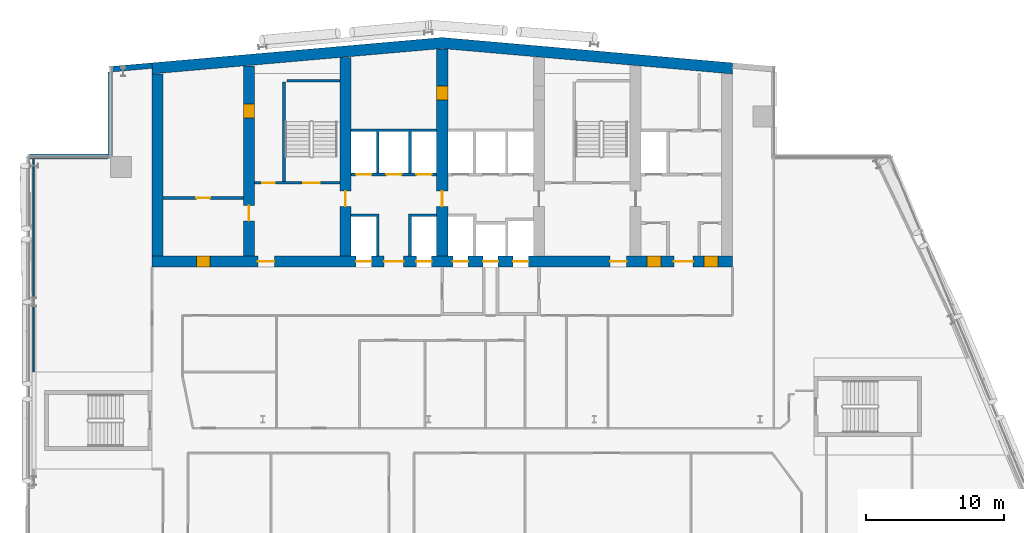
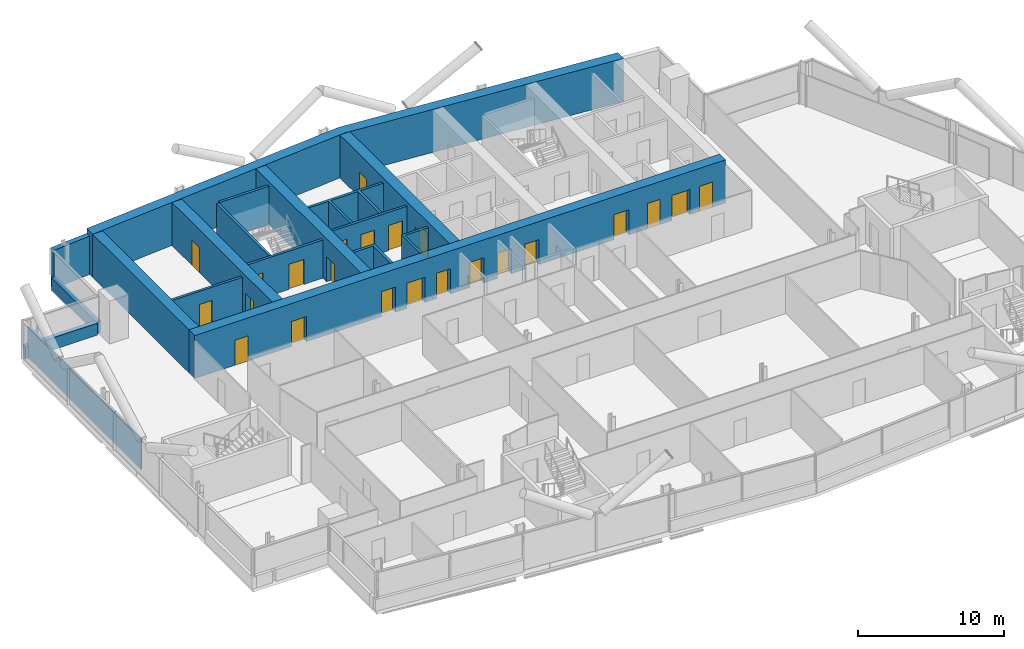
# One storey, part 18 of 27: 23 doors, 18 walls, 23 openings.
"""IFC4 building model written with IfcOpenShell, lengths in metres."""

import ifcopenshell
import ifcopenshell.guid

model = None  # the IFC model being written
_history = None  # IfcOwnerHistory: only IFC2X3 demands one
_inside = {}  # id of a spatial element -> (the spatial element, [elements in it])
_under = {}  # id of a project, library or spatial element -> (it, [spatial elements below it])
_declared = {}  # id of a project -> (the project, [libraries it declares])
_typed = {}  # id of a type object -> (the type object, [elements of that type])
_made_of = {}  # id of a material, layer set ... -> (it, [elements and type objects made of it])


def new_model(schema):
    """Start an empty IFC model of exactly this schema.

    Asked for "IFC4X3", IfcOpenShell would pick the latest addendum, in which some entities
    have other attributes; the version numbers below select the first issue.
    IFC2X3 requires an IfcOwnerHistory on every rooted entity: one is made here for all.
    """
    global model, _history
    if schema == "IFC4X3":
        model = ifcopenshell.file(schema_version=(4, 3, 0, 0))
    else:
        model = ifcopenshell.file(schema=schema)
    _inside.clear()
    _under.clear()
    _declared.clear()
    _typed.clear()
    _made_of.clear()
    _history = None
    if model.schema == "IFC2X3":
        org = make("IfcOrganization", Name="unknown")
        user = make(
            "IfcPersonAndOrganization",
            ThePerson=make("IfcPerson", FamilyName="unknown"),
            TheOrganization=org,
        )
        app = make(
            "IfcApplication",
            ApplicationDeveloper=org,
            Version="unknown",
            ApplicationFullName="unknown",
            ApplicationIdentifier="unknown",
        )
        _history = make(
            "IfcOwnerHistory",
            OwningUser=user,
            OwningApplication=app,
            ChangeAction="ADDED",
            CreationDate=0,
        )
    return model


def make(cls, **values):
    """One entity of the class cls with the attributes given. An attribute that is None is left unset."""
    return model.create_entity(
        cls, **{name: value for name, value in values.items() if value is not None}
    )


def rooted(cls, **values):
    """An entity with a GlobalId (a new one), such as an element, a storey or a relation."""
    return make(cls, GlobalId=ifcopenshell.guid.new(), OwnerHistory=_history, **values)


def si_unit(unit_type, name, prefix=None):
    """IfcSIUnit, for example si_unit("LENGTHUNIT", "METRE", prefix="MILLI")."""
    return make("IfcSIUnit", UnitType=unit_type, Prefix=prefix, Name=name)


def assignment(units):
    """IfcUnitAssignment: the units of a project."""
    return None if units is None else make("IfcUnitAssignment", Units=units)


def point(xyz):
    """IfcCartesianPoint."""
    return None if xyz is None else make("IfcCartesianPoint", Coordinates=xyz)


def direction(xyz):
    """IfcDirection."""
    return None if xyz is None else make("IfcDirection", DirectionRatios=xyz)


def frame(location, z_axis=None, x_axis=None):
    """IfcAxis2Placement3D, a coordinate frame: its origin and axes. An axis left out is left unset."""
    return make(
        "IfcAxis2Placement3D",
        Location=point(location),
        Axis=direction(z_axis),
        RefDirection=direction(x_axis),
    )


def frame_2d(location, x_axis=None):
    """IfcAxis2Placement2D, a coordinate frame in the plane: its origin and x axis."""
    return make(
        "IfcAxis2Placement2D", Location=point(location), RefDirection=direction(x_axis)
    )


def origin():
    """The frame at (0, 0, 0) with its axes left unset."""
    return frame((0.0, 0.0, 0.0))


def place(relative_to, where):
    """IfcLocalPlacement: puts the frame where relative to a parent placement (None: the world)."""
    return make(
        "IfcLocalPlacement", PlacementRelTo=relative_to, RelativePlacement=where
    )


def context(
    kind, dimensions, precision=None, world=None, true_north=None, identifier=None
):
    """IfcGeometricRepresentationContext, for example the 3D "Model" context."""
    return make(
        "IfcGeometricRepresentationContext",
        ContextIdentifier=identifier,
        ContextType=kind,
        CoordinateSpaceDimension=dimensions,
        Precision=precision,
        WorldCoordinateSystem=world,
        TrueNorth=true_north,
    )


def subcontext(parent, identifier, kind, view, scale=None):
    """IfcGeometricRepresentationSubContext, for example "Body" below "Model"."""
    return make(
        "IfcGeometricRepresentationSubContext",
        ContextIdentifier=identifier,
        ContextType=kind,
        ParentContext=parent,
        TargetScale=scale,
        TargetView=view,
    )


def project(units=None, contexts=None):
    """IfcProject with its units and contexts."""
    return rooted(
        "IfcProject",
        Name="project",
        RepresentationContexts=contexts,
        UnitsInContext=assignment(units),
    )


def spatial(cls, under=None, at=None, **own):
    """A site, building, storey or space (cls), placed at a placement, below another one or the project."""
    s = rooted(cls, ObjectPlacement=at, **own)
    if under is not None:
        _under.setdefault(under.id(), (under, []))[1].append(s)
    return s


def polyline(points):
    """IfcPolyline through the points."""
    return make("IfcPolyline", Points=[point(p) for p in points])


def profile(cls, at=None, kind="AREA", **sizes):
    """A parametric profile (cls). Its sizes go by their IFC names, for example OverallWidth=200.0."""
    return make(cls, ProfileType=kind, Position=at, **sizes)


def rectangle(**sizes):
    """IfcRectangleProfileDef."""
    return profile("IfcRectangleProfileDef", **sizes)


def outline(outer, holes=None, kind="AREA"):
    """IfcArbitraryClosedProfileDef: a profile drawn as a closed curve; with holes, ...WithVoids."""
    if holes is None:
        return make("IfcArbitraryClosedProfileDef", ProfileType=kind, OuterCurve=outer)
    return make(
        "IfcArbitraryProfileDefWithVoids",
        ProfileType=kind,
        OuterCurve=outer,
        InnerCurves=holes,
    )


def extrude(swept, where, along, depth):
    """IfcExtrudedAreaSolid: the profile swept, set in the frame where, extruded along a direction by depth."""
    return make(
        "IfcExtrudedAreaSolid",
        SweptArea=swept,
        Position=where,
        ExtrudedDirection=direction(along),
        Depth=depth,
    )


def shape(context_of_items, identifier, shape_type, items):
    """IfcShapeRepresentation: the items that make up one representation, for example the "Body"."""
    return make(
        "IfcShapeRepresentation",
        ContextOfItems=context_of_items,
        RepresentationIdentifier=identifier,
        RepresentationType=shape_type,
        Items=items,
    )


def material(Name=None, Category=None):
    """IfcMaterial."""
    return make("IfcMaterial", Name=Name, Category=Category)


def layer(
    of_material, thickness, ventilated=None, Name=None, Category=None, Priority=None
):
    """IfcMaterialLayer: one layer of a wall or slab, of a material (None: an air gap)."""
    return make(
        "IfcMaterialLayer",
        Material=of_material,
        LayerThickness=thickness,
        IsVentilated=ventilated,
        Name=Name,
        Category=Category,
        Priority=Priority,
    )


def layer_set(layers, Name=None):
    """IfcMaterialLayerSet."""
    return make("IfcMaterialLayerSet", MaterialLayers=layers, LayerSetName=Name)


def made_of(thing, what):
    """Note that an element or type object is made of a material, layer set ...; save() writes the relation."""
    if what is not None:
        _made_of.setdefault(what.id(), (what, []))[1].append(thing)
    return thing


def type_object(cls, material=None, **own):
    """A type object (cls), such as IfcWallType, which elements share."""
    return made_of(rooted(cls, **own), material)


def element(
    cls,
    number,
    at=None,
    inside=None,
    cuts=None,
    type_object=None,
    material=None,
    context=None,
    identifier="Body",
    shape_type=None,
    held_by="IfcProductDefinitionShape",
    body=None,
    shapes=None,
    **own,
):
    """One element of the class cls, such as IfcWall. Its Tag is "e" and its number.

    at: its placement. inside: the storey or other place that contains it. cuts: it is an
    opening in that element (IfcRelVoidsElement). A single representation is given by context,
    identifier, shape_type and body (its items); several are given by shapes. held_by: the class
    of the entity that holds the representations. save() writes the other relations.
    """
    e = rooted(cls, Tag="e%d" % number, ObjectPlacement=at, **own)
    if body is not None:
        shapes = [shape(context, identifier, shape_type, body)]
    if shapes is not None:
        e.Representation = make(held_by, Representations=shapes)
    if inside is not None:
        _inside.setdefault(inside.id(), (inside, []))[1].append(e)
    if cuts is not None:
        rooted(
            "IfcRelVoidsElement", RelatingBuildingElement=cuts, RelatedOpeningElement=e
        )
    if type_object is not None:
        _typed.setdefault(type_object.id(), (type_object, []))[1].append(e)
    return made_of(e, material)


def fill(opening, filler):
    """IfcRelFillsElement: the door or window that sits in an opening."""
    return rooted(
        "IfcRelFillsElement",
        RelatingOpeningElement=opening,
        RelatedBuildingElement=filler,
    )


def aggregate(whole, parts):
    """IfcRelAggregates: a whole, such as a stair, and the parts it consists of."""
    return rooted("IfcRelAggregates", RelatingObject=whole, RelatedObjects=parts)


def save(model, path):
    """Write the relations noted so far, then the file.

    IfcRelAggregates (storeys below a building ...), IfcRelContainedInSpatialStructure (elements
    in a storey), IfcRelDefinesByType, IfcRelAssociatesMaterial and IfcRelDeclares: one each for
    every whole, place, type object, material and project.
    """
    for whole, parts in _under.values():
        aggregate(whole, parts)
    for where, things in _inside.values():
        rooted(
            "IfcRelContainedInSpatialStructure",
            RelatedElements=things,
            RelatingStructure=where,
        )
    for kind, things in _typed.values():
        rooted("IfcRelDefinesByType", RelatedObjects=things, RelatingType=kind)
    for what, things in _made_of.values():
        rooted("IfcRelAssociatesMaterial", RelatedObjects=things, RelatingMaterial=what)
    for by, libraries in _declared.values():
        rooted("IfcRelDeclares", RelatingContext=by, RelatedDefinitions=libraries)
    model.write(path)


model = new_model("IFC4")

# Units and contexts
model_context = context("Model", 3, precision=1e-05, world=origin(), true_north=direction((0.0, 1.0)))
body_context = subcontext(model_context, "Body", "Model", "MODEL_VIEW")
ifc_project = project(units=[si_unit("LENGTHUNIT", "METRE"), si_unit("AREAUNIT", "SQUARE_METRE"), si_unit("VOLUMEUNIT", "CUBIC_METRE"), si_unit("PLANEANGLEUNIT", "RADIAN"), si_unit("MASSUNIT", "GRAM", prefix="KILO")], contexts=[model_context])

# Site, building, storey
site_placement = place(None, origin())
site = spatial("IfcSite", under=ifc_project, at=site_placement, CompositionType="ELEMENT")
building_placement = place(site_placement, origin())
building = spatial("IfcBuilding", under=site, at=building_placement, Name="Wharfspan Tower", CompositionType="ELEMENT")
storey_placement = place(building_placement, frame((0.0, 0.0, 195.100098)))
storey = spatial("IfcBuildingStorey", under=building, at=storey_placement, Name="L48", CompositionType="ELEMENT", Elevation=195.100098)

# Wall, opening, door
ifc_material_1 = material(Name="Calcium silicate masonry", Category="masonry")
ifc_layer_1 = layer(ifc_material_1, 0.199951)
ifc_layer_set_1 = layer_set([ifc_layer_1], Name="Calcium silicate masonry")
wall_type_1 = type_object("IfcWallType", Name="Core room wall 200", PredefinedType="PARTITIONING", material=ifc_layer_set_1)
wall_1_placement = place(storey_placement, frame((16.800049, 39.0, 0.0), z_axis=(0.0, 0.0, 1.0), x_axis=(1.0, 0.0, 0.0)))
wall_1 = element("IfcWall", 1, at=wall_1_placement, inside=storey, type_object=wall_type_1, Name="sw:L48:RM1", PredefinedType="PARTITIONING", context=body_context, shape_type="SweptSolid", body=[
    extrude(rectangle(XDim=5.800049, YDim=0.199951, at=frame_2d((2.899902, 0.0))), origin(), (0.0, 0.0, 1.0), 3.199951),
])
opening_1_placement = place(wall_1_placement, frame((2.399902, 0.0, 0.0)))
opening_1 = element("IfcOpeningElement", 2, at=opening_1_placement, cuts=wall_1, Name="Opening CD48.12", PredefinedType="OPENING", context=body_context, shape_type="SweptSolid", body=[
    extrude(rectangle(XDim=1.0, YDim=2.100098, at=frame_2d((0.5, 1.050049))), frame((0.0, 0.109863, 0.0), z_axis=(0.0, -1.0, 0.0), x_axis=(1.0, 0.0, 0.0)), (0.0, 0.0, 1.0), 0.219971),
])
ifc_material_2 = material(Name="Steel door leaf", Category="steel")
door_type_1 = type_object("IfcDoorType", Name="Core room door 1000x2100", OperationType="SINGLE_SWING_LEFT", PredefinedType="DOOR", material=ifc_material_2)
door_1_placement = place(opening_1_placement, origin())
door_1 = element("IfcDoor", 3, at=door_1_placement, inside=storey, type_object=door_type_1, Name="d:L48:1:rr", OperationType="SINGLE_SWING_RIGHT", OverallHeight=2.100098, OverallWidth=1.0, PredefinedType="DOOR", context=body_context, shape_type="SweptSolid", body=[
    extrude(rectangle(XDim=1.0, YDim=2.100098, at=frame_2d((0.5, 1.050049))), frame((0.0, 0.024902, 0.0), z_axis=(0.0, -1.0, 0.0), x_axis=(1.0, 0.0, 0.0)), (0.0, 0.0, 1.0), 0.050049),
])
fill(opening_1, door_1)

# Wall
ifc_material_3 = material(Name="Concrete C60/75", Category="concrete")
ifc_layer_2 = layer(ifc_material_3, 0.800049)
ifc_layer_set_2 = layer_set([ifc_layer_2], Name="Concrete C60/75")
wall_type_2 = type_object("IfcWallType", Name="Core wall 800 C60/75", PredefinedType="SHEAR", material=ifc_layer_set_2)
wall_2_placement = place(storey_placement, frame((0.0, 0.0, -0.000244)))
element("IfcWall", 4, at=wall_2_placement, inside=storey, type_object=wall_type_2, Name="Core rear wall L48", PredefinedType="SHEAR", context=body_context, shape_type="SweptSolid", body=[
    extrude(outline(polyline([(16.0, 47.984375), (37.0, 49.821533), (58.0, 47.984375), (58.0, 48.787354), (37.0, 50.624756), (16.0, 48.787354), (16.0, 47.984375)])), origin(), (0.0, 0.0, 1.0), 3.600098),
])

# Wall, openings, doors
wall_3_placement = place(storey_placement, frame((16.0, 34.399902, 0.0), z_axis=(0.0, 0.0, 1.0), x_axis=(1.0, 0.0, 0.0)))
wall_3 = element("IfcWall", 5, at=wall_3_placement, inside=storey, type_object=wall_type_2, Name="Core front wall L48", PredefinedType="SHEAR", context=body_context, shape_type="SweptSolid", body=[
    extrude(rectangle(XDim=42.0, YDim=0.800049, at=frame_2d((21.0, 0.0))), origin(), (0.0, 0.0, 1.0), 3.599854),
])
opening_2_placement = place(wall_3_placement, frame((3.199951, 0.0, 0.0)))
opening_2 = element("IfcOpeningElement", 6, at=opening_2_placement, cuts=wall_3, Name="Opening CD48.11", PredefinedType="OPENING", context=body_context, shape_type="SweptSolid", body=[
    extrude(rectangle(XDim=1.0, YDim=2.100098, at=frame_2d((0.5, 1.050049))), frame((0.0, 0.409912, 0.0), z_axis=(0.0, -1.0, 0.0), x_axis=(1.0, 0.0, 0.0)), (0.0, 0.0, 1.0), 0.820068),
])
opening_3_placement = place(wall_3_placement, frame((7.649902, 0.0, 0.0)))
opening_3 = element("IfcOpeningElement", 7, at=opening_3_placement, cuts=wall_3, Name="Opening SV2.L48", PredefinedType="OPENING", context=body_context, shape_type="SweptSolid", body=[
    extrude(rectangle(XDim=1.199951, YDim=2.100098, at=frame_2d((0.600098, 1.050049))), frame((0.0, 0.409912, 0.0), z_axis=(0.0, -1.0, 0.0), x_axis=(1.0, 0.0, 0.0)), (0.0, 0.0, 1.0), 0.820068),
])
opening_4_placement = place(wall_3_placement, frame((14.766602, 0.0, 0.0)))
opening_4 = element("IfcOpeningElement", 8, at=opening_4_placement, cuts=wall_3, Name="Opening LD.SL1.L48", PredefinedType="OPENING", context=body_context, shape_type="SweptSolid", body=[
    extrude(rectangle(XDim=1.100098, YDim=2.100098, at=frame_2d((0.550049, 1.050049))), frame((0.0, 0.409912, 0.0), z_axis=(0.0, -1.0, 0.0), x_axis=(1.0, 0.0, 0.0)), (0.0, 0.0, 1.0), 0.820068),
])
opening_5_placement = place(wall_3_placement, frame((19.133301, 0.0, 0.0)))
opening_5 = element("IfcOpeningElement", 9, at=opening_5_placement, cuts=wall_3, Name="Opening LD.SL2.L48", PredefinedType="OPENING", context=body_context, shape_type="SweptSolid", body=[
    extrude(rectangle(XDim=1.100098, YDim=2.100098, at=frame_2d((0.550049, 1.050049))), frame((0.0, 0.409912, 0.0), z_axis=(0.0, -1.0, 0.0), x_axis=(1.0, 0.0, 0.0)), (0.0, 0.0, 1.0), 0.820068),
])
opening_6_placement = place(wall_3_placement, frame((16.800049, 0.0, 0.0)))
opening_6 = element("IfcOpeningElement", 10, at=opening_6_placement, cuts=wall_3, Name="Opening HD48.3", PredefinedType="OPENING", context=body_context, shape_type="SweptSolid", body=[
    extrude(rectangle(XDim=1.399902, YDim=2.100098, at=frame_2d((0.699951, 1.050049))), frame((0.0, 0.409912, 0.0), z_axis=(0.0, -1.0, 0.0), x_axis=(1.0, 0.0, 0.0)), (0.0, 0.0, 1.0), 0.820068),
])
opening_7_placement = place(wall_3_placement, frame((21.766602, 0.0, 0.0)))
opening_7 = element("IfcOpeningElement", 11, at=opening_7_placement, cuts=wall_3, Name="Opening LD.FF1.L48", PredefinedType="OPENING", context=body_context, shape_type="SweptSolid", body=[
    extrude(rectangle(XDim=1.100098, YDim=2.100098, at=frame_2d((0.550049, 1.050049))), frame((0.0, 0.409912, 0.0), z_axis=(0.0, -1.0, 0.0), x_axis=(1.0, 0.0, 0.0)), (0.0, 0.0, 1.0), 0.820068),
])
opening_8_placement = place(wall_3_placement, frame((23.949951, 0.0, 0.0)))
opening_8 = element("IfcOpeningElement", 12, at=opening_8_placement, cuts=wall_3, Name="Opening LD.LB7.L48", PredefinedType="OPENING", context=body_context, shape_type="SweptSolid", body=[
    extrude(rectangle(XDim=1.100098, YDim=2.100098, at=frame_2d((0.550049, 1.050049))), frame((0.0, 0.409912, 0.0), z_axis=(0.0, -1.0, 0.0), x_axis=(1.0, 0.0, 0.0)), (0.0, 0.0, 1.0), 0.820068),
])
opening_9_placement = place(wall_3_placement, frame((26.133301, 0.0, 0.0)))
opening_9 = element("IfcOpeningElement", 13, at=opening_9_placement, cuts=wall_3, Name="Opening LD.FF2.L48", PredefinedType="OPENING", context=body_context, shape_type="SweptSolid", body=[
    extrude(rectangle(XDim=1.100098, YDim=2.100098, at=frame_2d((0.550049, 1.050049))), frame((0.0, 0.409912, 0.0), z_axis=(0.0, -1.0, 0.0), x_axis=(1.0, 0.0, 0.0)), (0.0, 0.0, 1.0), 0.820068),
])
opening_10_placement = place(wall_3_placement, frame((33.149902, 0.0, 0.0)))
opening_10 = element("IfcOpeningElement", 14, at=opening_10_placement, cuts=wall_3, Name="Opening SV5.L48", PredefinedType="OPENING", context=body_context, shape_type="SweptSolid", body=[
    extrude(rectangle(XDim=1.199951, YDim=2.100098, at=frame_2d((0.600098, 1.050049))), frame((0.0, 0.409912, 0.0), z_axis=(0.0, -1.0, 0.0), x_axis=(1.0, 0.0, 0.0)), (0.0, 0.0, 1.0), 0.820068),
])
opening_11_placement = place(wall_3_placement, frame((35.81665, 0.0, 0.0)))
opening_11 = element("IfcOpeningElement", 15, at=opening_11_placement, cuts=wall_3, Name="Opening CD48.6F1", PredefinedType="OPENING", context=body_context, shape_type="SweptSolid", body=[
    extrude(rectangle(XDim=1.0, YDim=2.100098, at=frame_2d((0.5, 1.050049))), frame((0.0, 0.409912, 0.0), z_axis=(0.0, -1.0, 0.0), x_axis=(1.0, 0.0, 0.0)), (0.0, 0.0, 1.0), 0.820068),
])
opening_12_placement = place(wall_3_placement, frame((39.949951, 0.0, 0.0)))
opening_12 = element("IfcOpeningElement", 16, at=opening_12_placement, cuts=wall_3, Name="Opening CD48.6F3", PredefinedType="OPENING", context=body_context, shape_type="SweptSolid", body=[
    extrude(rectangle(XDim=1.0, YDim=2.100098, at=frame_2d((0.5, 1.050049))), frame((0.0, 0.409912, 0.0), z_axis=(0.0, -1.0, 0.0), x_axis=(1.0, 0.0, 0.0)), (0.0, 0.0, 1.0), 0.820068),
])
opening_13_placement = place(wall_3_placement, frame((37.766602, 0.0, 0.0)))
opening_13 = element("IfcOpeningElement", 17, at=opening_13_placement, cuts=wall_3, Name="Opening HD48.6", PredefinedType="OPENING", context=body_context, shape_type="SweptSolid", body=[
    extrude(rectangle(XDim=1.399902, YDim=2.100098, at=frame_2d((0.699951, 1.050049))), frame((0.0, 0.409912, 0.0), z_axis=(0.0, -1.0, 0.0), x_axis=(1.0, 0.0, 0.0)), (0.0, 0.0, 1.0), 0.820068),
])
door_2_placement = place(opening_2_placement, origin())
door_2 = element("IfcDoor", 18, at=door_2_placement, inside=storey, type_object=door_type_1, Name="d:L48:1:rf", OperationType="SINGLE_SWING_LEFT", OverallHeight=2.100098, OverallWidth=1.0, PredefinedType="DOOR", context=body_context, shape_type="SweptSolid", body=[
    extrude(rectangle(XDim=1.0, YDim=2.100098, at=frame_2d((0.5, 1.050049))), frame((0.0, 0.399902, 0.0), z_axis=(0.0, -1.0, 0.0), x_axis=(1.0, 0.0, 0.0)), (0.0, 0.0, 1.0), 0.799561),
])
fill(opening_2, door_2)
door_3_placement = place(opening_11_placement, origin())
door_3 = element("IfcDoor", 19, at=door_3_placement, inside=storey, type_object=door_type_1, Name="d:L48:6:fd6.1", OperationType="SINGLE_SWING_LEFT", OverallHeight=2.100098, OverallWidth=1.0, PredefinedType="DOOR", context=body_context, shape_type="SweptSolid", body=[
    extrude(rectangle(XDim=1.0, YDim=2.100098, at=frame_2d((0.5, 1.050049))), frame((0.0, 0.399902, 0.0), z_axis=(0.0, -1.0, 0.0), x_axis=(1.0, 0.0, 0.0)), (0.0, 0.0, 1.0), 0.799561),
])
fill(opening_11, door_3)
door_4_placement = place(opening_12_placement, origin())
door_4 = element("IfcDoor", 20, at=door_4_placement, inside=storey, type_object=door_type_1, Name="d:L48:6:fd6.3", OperationType="SINGLE_SWING_LEFT", OverallHeight=2.100098, OverallWidth=1.0, PredefinedType="DOOR", context=body_context, shape_type="SweptSolid", body=[
    extrude(rectangle(XDim=1.0, YDim=2.100098, at=frame_2d((0.5, 1.050049))), frame((0.0, 0.399902, 0.0), z_axis=(0.0, -1.0, 0.0), x_axis=(1.0, 0.0, 0.0)), (0.0, 0.0, 1.0), 0.799561),
])
fill(opening_12, door_4)
door_type_2 = type_object("IfcDoorType", Name="Hall entry door 1400x2100", OperationType="DOUBLE_DOOR_SINGLE_SWING", PredefinedType="DOOR", material=ifc_material_2)
door_5_placement = place(opening_6_placement, origin())
door_5 = element("IfcDoor", 21, at=door_5_placement, inside=storey, type_object=door_type_2, Name="d:L48:3:hd3", OperationType="DOUBLE_DOOR_SINGLE_SWING", OverallHeight=2.100098, OverallWidth=1.399902, PredefinedType="DOOR", context=body_context, shape_type="SweptSolid", body=[
    extrude(rectangle(XDim=1.399902, YDim=2.100098, at=frame_2d((0.699951, 1.050049))), frame((0.0, 0.024902, 0.0), z_axis=(0.0, -1.0, 0.0), x_axis=(1.0, 0.0, 0.0)), (0.0, 0.0, 1.0), 0.050049),
])
fill(opening_6, door_5)
door_6_placement = place(opening_13_placement, origin())
door_6 = element("IfcDoor", 22, at=door_6_placement, inside=storey, type_object=door_type_2, Name="d:L48:6:hd6", OperationType="DOUBLE_DOOR_SINGLE_SWING", OverallHeight=2.100098, OverallWidth=1.399902, PredefinedType="DOOR", context=body_context, shape_type="SweptSolid", body=[
    extrude(rectangle(XDim=1.399902, YDim=2.100098, at=frame_2d((0.699951, 1.050049))), frame((0.0, 0.024902, 0.0), z_axis=(0.0, -1.0, 0.0), x_axis=(1.0, 0.0, 0.0)), (0.0, 0.0, 1.0), 0.050049),
])
fill(opening_13, door_6)
ifc_material_4 = material(Name="Stainless steel", Category="steel")
door_type_3 = type_object("IfcDoorType", Name="Lift landing door 1100x2100", OperationType="DOUBLE_DOOR_SLIDING", PredefinedType="DOOR", material=ifc_material_4)
door_7_placement = place(opening_4_placement, origin())
door_7 = element("IfcDoor", 23, at=door_7_placement, inside=storey, type_object=door_type_3, Name="Landing door SL1 L48", OperationType="DOUBLE_DOOR_SLIDING", OverallHeight=2.100098, OverallWidth=1.100098, PredefinedType="DOOR", context=body_context, shape_type="SweptSolid", body=[
    extrude(rectangle(XDim=1.100098, YDim=2.100098, at=frame_2d((0.550049, 1.050049))), frame((0.0, 0.024902, 0.0), z_axis=(0.0, -1.0, 0.0), x_axis=(1.0, 0.0, 0.0)), (0.0, 0.0, 1.0), 0.050049),
])
fill(opening_4, door_7)
door_8_placement = place(opening_5_placement, origin())
door_8 = element("IfcDoor", 24, at=door_8_placement, inside=storey, type_object=door_type_3, Name="Landing door SL2 L48", OperationType="DOUBLE_DOOR_SLIDING", OverallHeight=2.100098, OverallWidth=1.100098, PredefinedType="DOOR", context=body_context, shape_type="SweptSolid", body=[
    extrude(rectangle(XDim=1.100098, YDim=2.100098, at=frame_2d((0.550049, 1.050049))), frame((0.0, 0.024902, 0.0), z_axis=(0.0, -1.0, 0.0), x_axis=(1.0, 0.0, 0.0)), (0.0, 0.0, 1.0), 0.050049),
])
fill(opening_5, door_8)
door_9_placement = place(opening_7_placement, origin())
door_9 = element("IfcDoor", 25, at=door_9_placement, inside=storey, type_object=door_type_3, Name="Landing door FF1 L48", OperationType="DOUBLE_DOOR_SLIDING", OverallHeight=2.100098, OverallWidth=1.100098, PredefinedType="DOOR", context=body_context, shape_type="SweptSolid", body=[
    extrude(rectangle(XDim=1.100098, YDim=2.100098, at=frame_2d((0.550049, 1.050049))), frame((0.0, 0.024902, 0.0), z_axis=(0.0, -1.0, 0.0), x_axis=(1.0, 0.0, 0.0)), (0.0, 0.0, 1.0), 0.050049),
])
fill(opening_7, door_9)
door_10_placement = place(opening_8_placement, origin())
door_10 = element("IfcDoor", 26, at=door_10_placement, inside=storey, type_object=door_type_3, Name="Landing door LB7 L48", OperationType="DOUBLE_DOOR_SLIDING", OverallHeight=2.100098, OverallWidth=1.100098, PredefinedType="DOOR", context=body_context, shape_type="SweptSolid", body=[
    extrude(rectangle(XDim=1.100098, YDim=2.100098, at=frame_2d((0.550049, 1.050049))), frame((0.0, 0.024902, 0.0), z_axis=(0.0, -1.0, 0.0), x_axis=(1.0, 0.0, 0.0)), (0.0, 0.0, 1.0), 0.050049),
])
fill(opening_8, door_10)
door_11_placement = place(opening_9_placement, origin())
door_11 = element("IfcDoor", 27, at=door_11_placement, inside=storey, type_object=door_type_3, Name="Landing door FF2 L48", OperationType="DOUBLE_DOOR_SLIDING", OverallHeight=2.100098, OverallWidth=1.100098, PredefinedType="DOOR", context=body_context, shape_type="SweptSolid", body=[
    extrude(rectangle(XDim=1.100098, YDim=2.100098, at=frame_2d((0.550049, 1.050049))), frame((0.0, 0.024902, 0.0), z_axis=(0.0, -1.0, 0.0), x_axis=(1.0, 0.0, 0.0)), (0.0, 0.0, 1.0), 0.050049),
])
fill(opening_9, door_11)
door_type_4 = type_object("IfcDoorType", Name="Stair door 1200x2100", OperationType="SINGLE_SWING_LEFT", PredefinedType="DOOR", material=ifc_material_2)
door_12_placement = place(opening_3_placement, origin())
door_12 = element("IfcDoor", 28, at=door_12_placement, inside=storey, type_object=door_type_4, Name="vd:L48:2", OperationType="SINGLE_SWING_LEFT", OverallHeight=2.100098, OverallWidth=1.199951, PredefinedType="DOOR", context=body_context, shape_type="SweptSolid", body=[
    extrude(rectangle(XDim=1.199951, YDim=2.100098, at=frame_2d((0.600098, 1.050049))), frame((0.0, 0.024902, 0.0), z_axis=(0.0, -1.0, 0.0), x_axis=(1.0, 0.0, 0.0)), (0.0, 0.0, 1.0), 0.050049),
])
fill(opening_3, door_12)
door_13_placement = place(opening_10_placement, origin())
door_13 = element("IfcDoor", 29, at=door_13_placement, inside=storey, type_object=door_type_4, Name="vd:L48:5", OperationType="SINGLE_SWING_LEFT", OverallHeight=2.100098, OverallWidth=1.199951, PredefinedType="DOOR", context=body_context, shape_type="SweptSolid", body=[
    extrude(rectangle(XDim=1.199951, YDim=2.100098, at=frame_2d((0.600098, 1.050049))), frame((0.0, 0.024902, 0.0), z_axis=(0.0, -1.0, 0.0), x_axis=(1.0, 0.0, 0.0)), (0.0, 0.0, 1.0), 0.050049),
])
fill(opening_10, door_13)

# Wall
wall_4_placement = place(storey_placement, frame((16.399902, 34.800049, 0.0), z_axis=(0.0, 0.0, 1.0), x_axis=(0.0, 1.0, 0.0)))
element("IfcWall", 30, at=wall_4_placement, inside=storey, type_object=wall_type_2, Name="Core cross wall EW0 L48", PredefinedType="SHEAR", context=body_context, shape_type="SweptSolid", body=[
    extrude(rectangle(XDim=13.184326, YDim=0.800049, at=frame_2d((6.592285, 0.0))), origin(), (0.0, 0.0, 1.0), 3.599854),
])

# Wall, openings, doors
wall_5_placement = place(storey_placement, frame((23.0, 34.800049, 0.0), z_axis=(0.0, 0.0, 1.0), x_axis=(0.0, 1.0, 0.0)))
wall_5 = element("IfcWall", 31, at=wall_5_placement, inside=storey, type_object=wall_type_2, Name="Core cross wall X2 L48", PredefinedType="SHEAR", context=body_context, shape_type="SweptSolid", body=[
    extrude(rectangle(XDim=13.761719, YDim=0.800049, at=frame_2d((6.880859, 0.0))), origin(), (0.0, 0.0, 1.0), 3.599854),
])
opening_14_placement = place(wall_5_placement, frame((2.550049, 0.0, 0.0)))
opening_14 = element("IfcOpeningElement", 32, at=opening_14_placement, cuts=wall_5, Name="Opening CC48.2", PredefinedType="OPENING", context=body_context, shape_type="SweptSolid", body=[
    extrude(rectangle(XDim=1.100098, YDim=2.100098, at=frame_2d((0.550049, 1.050049))), frame((0.0, 0.409912, 0.0), z_axis=(0.0, -1.0, 0.0), x_axis=(1.0, 0.0, 0.0)), (0.0, 0.0, 1.0), 0.820068),
])
opening_15_placement = place(wall_5_placement, frame((10.0, 0.0, 0.0)))
opening_15 = element("IfcOpeningElement", 33, at=opening_15_placement, cuts=wall_5, Name="Opening CR48.2", PredefinedType="OPENING", context=body_context, shape_type="SweptSolid", body=[
    extrude(rectangle(XDim=1.0, YDim=2.100098, at=frame_2d((0.5, 1.050049))), frame((0.0, 0.409912, 0.0), z_axis=(0.0, -1.0, 0.0), x_axis=(1.0, 0.0, 0.0)), (0.0, 0.0, 1.0), 0.820068),
])
door_type_5 = type_object("IfcDoorType", Name="Core corridor door 1100x2100", OperationType="SINGLE_SWING_LEFT", PredefinedType="DOOR", material=ifc_material_2)
door_14_placement = place(opening_14_placement, origin())
door_14 = element("IfcDoor", 34, at=door_14_placement, inside=storey, type_object=door_type_5, Name="xd:L48:2", OperationType="SINGLE_SWING_RIGHT", OverallHeight=2.100098, OverallWidth=1.100098, PredefinedType="DOOR", context=body_context, shape_type="SweptSolid", body=[
    extrude(rectangle(XDim=1.100098, YDim=2.100098, at=frame_2d((0.550049, 1.050049))), frame((0.0, 0.024902, 0.0), z_axis=(0.0, -1.0, 0.0), x_axis=(1.0, 0.0, 0.0)), (0.0, 0.0, 1.0), 0.050049),
])
fill(opening_14, door_14)
door_15_placement = place(opening_15_placement, origin())
door_15 = element("IfcDoor", 35, at=door_15_placement, inside=storey, type_object=door_type_1, Name="xr:L48:2", OperationType="SINGLE_SWING_RIGHT", OverallHeight=2.100098, OverallWidth=1.0, PredefinedType="DOOR", context=body_context, shape_type="SweptSolid", body=[
    extrude(rectangle(XDim=1.0, YDim=2.100098, at=frame_2d((0.5, 1.050049))), frame((0.0, 0.399902, 0.0), z_axis=(0.0, -1.0, 0.0), x_axis=(1.0, 0.0, 0.0)), (0.0, 0.0, 1.0), 0.799561),
])
fill(opening_15, door_15)

# Wall, opening, door
wall_6_placement = place(storey_placement, frame((30.0, 34.800049, 0.0), z_axis=(0.0, 0.0, 1.0), x_axis=(0.0, 1.0, 0.0)))
wall_6 = element("IfcWall", 36, at=wall_6_placement, inside=storey, type_object=wall_type_2, Name="Core cross wall X3 L48", PredefinedType="SHEAR", context=body_context, shape_type="SweptSolid", body=[
    extrude(rectangle(XDim=14.374023, YDim=0.800049, at=frame_2d((7.187012, 0.0))), origin(), (0.0, 0.0, 1.0), 3.599854),
])
opening_16_placement = place(wall_6_placement, frame((3.600098, 0.0, 0.0)))
opening_16 = element("IfcOpeningElement", 37, at=opening_16_placement, cuts=wall_6, Name="Opening CC48.3", PredefinedType="OPENING", context=body_context, shape_type="SweptSolid", body=[
    extrude(rectangle(XDim=1.100098, YDim=2.100098, at=frame_2d((0.550049, 1.050049))), frame((0.0, 0.409912, 0.0), z_axis=(0.0, -1.0, 0.0), x_axis=(1.0, 0.0, 0.0)), (0.0, 0.0, 1.0), 0.820068),
])
door_16_placement = place(opening_16_placement, origin())
door_16 = element("IfcDoor", 38, at=door_16_placement, inside=storey, type_object=door_type_5, Name="xd:L48:3", OperationType="SINGLE_SWING_LEFT", OverallHeight=2.100098, OverallWidth=1.100098, PredefinedType="DOOR", context=body_context, shape_type="SweptSolid", body=[
    extrude(rectangle(XDim=1.100098, YDim=2.100098, at=frame_2d((0.550049, 1.050049))), frame((0.0, 0.024902, 0.0), z_axis=(0.0, -1.0, 0.0), x_axis=(1.0, 0.0, 0.0)), (0.0, 0.0, 1.0), 0.050049),
])
fill(opening_16, door_16)

# Wall, openings, doors
wall_7_placement = place(storey_placement, frame((37.0, 34.800049, 0.0), z_axis=(0.0, 0.0, 1.0), x_axis=(0.0, 1.0, 0.0)))
wall_7 = element("IfcWall", 39, at=wall_7_placement, inside=storey, type_object=wall_type_2, Name="Core cross wall X4 L48", PredefinedType="SHEAR", context=body_context, shape_type="SweptSolid", body=[
    extrude(rectangle(XDim=14.986572, YDim=0.800049, at=frame_2d((7.493164, 0.0))), origin(), (0.0, 0.0, 1.0), 3.599854),
])
opening_17_placement = place(wall_7_placement, frame((11.312012, 0.0, 0.0)))
opening_17 = element("IfcOpeningElement", 40, at=opening_17_placement, cuts=wall_7, Name="Opening CD48.3X", PredefinedType="OPENING", context=body_context, shape_type="SweptSolid", body=[
    extrude(rectangle(XDim=1.0, YDim=2.100098, at=frame_2d((0.5, 1.050049))), frame((0.0, 0.409912, 0.0), z_axis=(0.0, -1.0, 0.0), x_axis=(1.0, 0.0, 0.0)), (0.0, 0.0, 1.0), 0.820068),
])
opening_18_placement = place(wall_7_placement, frame((3.600098, 0.0, 0.0)))
opening_18 = element("IfcOpeningElement", 41, at=opening_18_placement, cuts=wall_7, Name="Opening CC48.4", PredefinedType="OPENING", context=body_context, shape_type="SweptSolid", body=[
    extrude(rectangle(XDim=1.100098, YDim=2.100098, at=frame_2d((0.550049, 1.050049))), frame((0.0, 0.409912, 0.0), z_axis=(0.0, -1.0, 0.0), x_axis=(1.0, 0.0, 0.0)), (0.0, 0.0, 1.0), 0.820068),
])
door_17_placement = place(opening_18_placement, origin())
door_17 = element("IfcDoor", 42, at=door_17_placement, inside=storey, type_object=door_type_5, Name="xd:L48:4", OperationType="SINGLE_SWING_RIGHT", OverallHeight=2.100098, OverallWidth=1.100098, PredefinedType="DOOR", context=body_context, shape_type="SweptSolid", body=[
    extrude(rectangle(XDim=1.100098, YDim=2.100098, at=frame_2d((0.550049, 1.050049))), frame((0.0, 0.024902, 0.0), z_axis=(0.0, -1.0, 0.0), x_axis=(1.0, 0.0, 0.0)), (0.0, 0.0, 1.0), 0.050049),
])
fill(opening_18, door_17)
door_18_placement = place(opening_17_placement, origin())
door_18 = element("IfcDoor", 43, at=door_18_placement, inside=storey, type_object=door_type_1, Name="d:L48:3:sx", OperationType="SINGLE_SWING_LEFT", OverallHeight=2.100098, OverallWidth=1.0, PredefinedType="DOOR", context=body_context, shape_type="SweptSolid", body=[
    extrude(rectangle(XDim=1.0, YDim=2.100098, at=frame_2d((0.5, 1.050049))), frame((0.0, 0.399902, 0.0), z_axis=(0.0, -1.0, 0.0), x_axis=(1.0, 0.0, 0.0)), (0.0, 0.0, 1.0), 0.799561),
])
fill(opening_17, door_18)

ifc_material_5 = material(Name="Concrete C30/37", Category="concrete")
ifc_layer_3 = layer(ifc_material_5, 0.199951)
ifc_layer_set_3 = layer_set([ifc_layer_3], Name="Concrete C30/37")
wall_type_3 = type_object("IfcWallType", Name="Lift shaft wall 200", PredefinedType="PARTITIONING", material=ifc_layer_set_3)
wall_8_placement = place(storey_placement, frame((30.399902, 40.699951, 0.0), z_axis=(0.0, 0.0, 1.0), x_axis=(1.0, 0.0, 0.0)))
wall_8 = element("IfcWall", 44, at=wall_8_placement, inside=storey, type_object=wall_type_3, Name="sw:L48:RF3", PredefinedType="PARTITIONING", context=body_context, shape_type="SweptSolid", body=[
    extrude(rectangle(XDim=6.200195, YDim=0.199951, at=frame_2d((3.100098, 0.0))), origin(), (0.0, 0.0, 1.0), 3.199951),
])
opening_19_placement = place(wall_8_placement, frame((0.366699, 0.0, 0.0)))
opening_19 = element("IfcOpeningElement", 45, at=opening_19_placement, cuts=wall_8, Name="Opening LD.LB1.L48", PredefinedType="OPENING", context=body_context, shape_type="SweptSolid", body=[
    extrude(rectangle(XDim=1.100098, YDim=2.100098, at=frame_2d((0.550049, 1.050049))), frame((0.0, 0.109863, 0.0), z_axis=(0.0, -1.0, 0.0), x_axis=(1.0, 0.0, 0.0)), (0.0, 0.0, 1.0), 0.219971),
])
opening_20_placement = place(wall_8_placement, frame((2.550049, 0.0, 0.0)))
opening_20 = element("IfcOpeningElement", 46, at=opening_20_placement, cuts=wall_8, Name="Opening LD.LB2.L48", PredefinedType="OPENING", context=body_context, shape_type="SweptSolid", body=[
    extrude(rectangle(XDim=1.100098, YDim=2.100098, at=frame_2d((0.550049, 1.050049))), frame((0.0, 0.109863, 0.0), z_axis=(0.0, -1.0, 0.0), x_axis=(1.0, 0.0, 0.0)), (0.0, 0.0, 1.0), 0.219971),
])
opening_21_placement = place(wall_8_placement, frame((4.733398, 0.0, 0.0)))
opening_21 = element("IfcOpeningElement", 47, at=opening_21_placement, cuts=wall_8, Name="Opening LD.LB3.L48", PredefinedType="OPENING", context=body_context, shape_type="SweptSolid", body=[
    extrude(rectangle(XDim=1.100098, YDim=2.100098, at=frame_2d((0.550049, 1.050049))), frame((0.0, 0.109863, 0.0), z_axis=(0.0, -1.0, 0.0), x_axis=(1.0, 0.0, 0.0)), (0.0, 0.0, 1.0), 0.219971),
])
door_19_placement = place(opening_19_placement, origin())
door_19 = element("IfcDoor", 48, at=door_19_placement, inside=storey, type_object=door_type_3, Name="Landing door LB1 L48", OperationType="DOUBLE_DOOR_SLIDING", OverallHeight=2.100098, OverallWidth=1.100098, PredefinedType="DOOR", context=body_context, shape_type="SweptSolid", body=[
    extrude(rectangle(XDim=1.100098, YDim=2.100098, at=frame_2d((0.550049, 1.050049))), frame((0.0, 0.024902, 0.0), z_axis=(0.0, -1.0, 0.0), x_axis=(1.0, 0.0, 0.0)), (0.0, 0.0, 1.0), 0.050049),
])
fill(opening_19, door_19)
door_20_placement = place(opening_20_placement, origin())
door_20 = element("IfcDoor", 49, at=door_20_placement, inside=storey, type_object=door_type_3, Name="Landing door LB2 L48", OperationType="DOUBLE_DOOR_SLIDING", OverallHeight=2.100098, OverallWidth=1.100098, PredefinedType="DOOR", context=body_context, shape_type="SweptSolid", body=[
    extrude(rectangle(XDim=1.100098, YDim=2.100098, at=frame_2d((0.550049, 1.050049))), frame((0.0, 0.024902, 0.0), z_axis=(0.0, -1.0, 0.0), x_axis=(1.0, 0.0, 0.0)), (0.0, 0.0, 1.0), 0.050049),
])
fill(opening_20, door_20)
door_21_placement = place(opening_21_placement, origin())
door_21 = element("IfcDoor", 50, at=door_21_placement, inside=storey, type_object=door_type_3, Name="Landing door LB3 L48", OperationType="DOUBLE_DOOR_SLIDING", OverallHeight=2.100098, OverallWidth=1.100098, PredefinedType="DOOR", context=body_context, shape_type="SweptSolid", body=[
    extrude(rectangle(XDim=1.100098, YDim=2.100098, at=frame_2d((0.550049, 1.050049))), frame((0.0, 0.024902, 0.0), z_axis=(0.0, -1.0, 0.0), x_axis=(1.0, 0.0, 0.0)), (0.0, 0.0, 1.0), 0.050049),
])
fill(opening_21, door_21)

# Walls
wall_9_placement = place(storey_placement, frame((0.0, 0.0, -0.000244)))
element("IfcWall", 51, at=wall_9_placement, inside=storey, type_object=wall_type_3, Name="sw:L48:FM3.0", PredefinedType="PARTITIONING", context=body_context, shape_type="SweptSolid", body=[
    extrude(outline(polyline([(32.233398, 37.649902), (30.399902, 37.649902), (30.399902, 37.850098), (32.233398, 37.850098), (32.43335, 37.850098), (32.43335, 34.800049), (32.233398, 34.800049), (32.233398, 37.649902)])), origin(), (0.0, 0.0, 1.0), 3.200195),
])
wall_10_placement = place(storey_placement, frame((0.0, 0.0, -0.000244)))
element("IfcWall", 52, at=wall_10_placement, inside=storey, type_object=wall_type_3, Name="sw:L48:FM3.1", PredefinedType="PARTITIONING", context=body_context, shape_type="SweptSolid", body=[
    extrude(outline(polyline([(34.56665, 37.850098), (34.766602, 37.850098), (36.600098, 37.850098), (36.600098, 37.649902), (34.766602, 37.649902), (34.766602, 34.800049), (34.56665, 34.800049), (34.56665, 37.850098)])), origin(), (0.0, 0.0, 1.0), 3.200195),
])
wall_11_placement = place(storey_placement, frame((0.0, 0.0, -0.000244)))
element("IfcWall", 53, at=wall_11_placement, inside=storey, type_object=wall_type_3, Name="sw:L48:RM3.0", PredefinedType="PARTITIONING", context=body_context, shape_type="SweptSolid", body=[
    extrude(outline(polyline([(32.43335, 40.800049), (32.233398, 40.800049), (32.233398, 43.800049), (30.399902, 43.800049), (30.399902, 44.0), (36.600098, 44.0), (36.600098, 43.800049), (34.766602, 43.800049), (34.766602, 40.800049), (34.56665, 40.800049), (34.56665, 43.800049), (32.43335, 43.800049), (32.43335, 40.800049)])), origin(), (0.0, 0.0, 1.0), 3.200195),
])
ifc_material_6 = material(Name="Gypsum board on steel studs", Category="steel")
ifc_layer_4 = layer(ifc_material_6, 0.100098)
ifc_layer_set_4 = layer_set([ifc_layer_4], Name="Gypsum board on steel studs")
wall_type_4 = type_object("IfcWallType", Name="Partition 100", PredefinedType="PARTITIONING", material=ifc_layer_set_4)
wall_12_placement = place(storey_placement, frame((7.419922, 26.419922, 0.0), z_axis=(0.0, 0.0, 1.0), x_axis=(0.0, 1.0, 0.0)))
element("IfcWall", 54, at=wall_12_placement, inside=storey, type_object=wall_type_4, Name="Partition L48.w003", PredefinedType="PARTITIONING", context=body_context, shape_type="SweptSolid", body=[
    extrude(rectangle(XDim=15.560059, YDim=0.100098, at=frame_2d((7.780029, 0.0))), origin(), (0.0, 0.0, 1.0), 2.579834),
])
ifc_material_7 = material(Name="Concrete C40/50", Category="concrete")
ifc_layer_5 = layer(ifc_material_7, 0.350098)
ifc_layer_set_5 = layer_set([ifc_layer_5], Name="Concrete C40/50")
wall_type_5 = type_object("IfcWallType", Name="SPANDREL EXPOSED CONCRETE 350", PredefinedType="SOLIDWALL", material=ifc_layer_set_5)
wall_13_placement = place(storey_placement, frame((12.995117, 48.126465, 0.0), z_axis=(0.0, 0.0, 1.0), x_axis=(0.0, -1.0, 0.0)))
element("IfcWall", 55, at=wall_13_placement, inside=storey, type_object=wall_type_5, Name="Spandrel upstand L48 NRW-V", PredefinedType="SOLIDWALL", context=body_context, shape_type="SweptSolid", body=[
    extrude(rectangle(XDim=6.126465, YDim=0.350098, at=frame_2d((3.063232, 0.0))), origin(), (0.0, 0.0, 1.0), 1.0),
])
wall_14_placement = place(storey_placement, frame((12.820068, 42.004883, 0.0), z_axis=(0.0, 0.0, 1.0), x_axis=(-1.0, 0.0, 0.0)))
element("IfcWall", 56, at=wall_14_placement, inside=storey, type_object=wall_type_5, Name="Spandrel upstand L48 NRW-H", PredefinedType="SOLIDWALL", context=body_context, shape_type="SweptSolid", body=[
    extrude(rectangle(XDim=5.699951, YDim=0.350098, at=frame_2d((2.850098, 0.0))), origin(), (0.0, 0.0, 1.0), 1.0),
])

# Wall, openings, doors
ifc_layer_6 = layer(ifc_material_7, 0.199951)
ifc_layer_set_6 = layer_set([ifc_layer_6], Name="Concrete C40/50")
wall_type_6 = type_object("IfcWallType", Name="Stair shaft wall 200", PredefinedType="SHEAR", material=ifc_layer_set_6)
wall_15_placement = place(storey_placement, frame((23.399902, 40.100098, 0.0), z_axis=(0.0, 0.0, 1.0), x_axis=(1.0, 0.0, 0.0)))
wall_15 = element("IfcWall", 57, at=wall_15_placement, inside=storey, type_object=wall_type_6, Name="ST1 stair enclosure wall L48", PredefinedType="SHEAR", context=body_context, shape_type="SweptSolid", body=[
    extrude(rectangle(XDim=6.200195, YDim=0.199951, at=frame_2d((3.100098, 0.0))), origin(), (0.0, 0.0, 1.0), 3.199951),
])
opening_22_placement = place(wall_15_placement, frame((3.524902, 0.0, 0.0)))
opening_22 = element("IfcOpeningElement", 58, at=opening_22_placement, cuts=wall_15, Name="Opening SD2.L48", PredefinedType="OPENING", context=body_context, shape_type="SweptSolid", body=[
    extrude(rectangle(XDim=1.199951, YDim=2.100098, at=frame_2d((0.600098, 1.050049))), frame((0.0, 0.109863, 0.0), z_axis=(0.0, -1.0, 0.0), x_axis=(1.0, 0.0, 0.0)), (0.0, 0.0, 1.0), 0.219971),
])
opening_23_placement = place(wall_15_placement, frame((0.574951, 0.0, 0.0)))
opening_23 = element("IfcOpeningElement", 59, at=opening_23_placement, cuts=wall_15, Name="Opening CD48.2R", PredefinedType="OPENING", context=body_context, shape_type="SweptSolid", body=[
    extrude(rectangle(XDim=0.899902, YDim=2.100098, at=frame_2d((0.449951, 1.050049))), frame((0.0, 0.109863, 0.0), z_axis=(0.0, -1.0, 0.0), x_axis=(1.0, 0.0, 0.0)), (0.0, 0.0, 1.0), 0.219971),
])
door_22_placement = place(opening_23_placement, origin())
door_22 = element("IfcDoor", 60, at=door_22_placement, inside=storey, type_object=door_type_1, Name="rk:L48:2", OperationType="SINGLE_SWING_LEFT", OverallHeight=2.100098, OverallWidth=0.899902, PredefinedType="DOOR", context=body_context, shape_type="SweptSolid", body=[
    extrude(rectangle(XDim=0.899902, YDim=2.100098, at=frame_2d((0.449951, 1.050049))), frame((0.0, 0.024902, 0.0), z_axis=(0.0, -1.0, 0.0), x_axis=(1.0, 0.0, 0.0)), (0.0, 0.0, 1.0), 0.050049),
])
fill(opening_23, door_22)
door_23_placement = place(opening_22_placement, origin())
door_23 = element("IfcDoor", 61, at=door_23_placement, inside=storey, type_object=door_type_4, Name="sd:L48:2", OperationType="SINGLE_SWING_RIGHT", OverallHeight=2.100098, OverallWidth=1.199951, PredefinedType="DOOR", context=body_context, shape_type="SweptSolid", body=[
    extrude(rectangle(XDim=1.199951, YDim=2.100098, at=frame_2d((0.600098, 1.050049))), frame((0.0, 0.024902, 0.0), z_axis=(0.0, -1.0, 0.0), x_axis=(1.0, 0.0, 0.0)), (0.0, 0.0, 1.0), 0.050049),
])
fill(opening_22, door_23)

# Walls
wall_16_placement = place(storey_placement, frame((25.550049, 40.199951, 0.0), z_axis=(0.0, 0.0, 1.0), x_axis=(0.0, 1.0, 0.0)))
element("IfcWall", 62, at=wall_16_placement, inside=storey, type_object=wall_type_6, Name="ST1 stair enclosure wall L48", PredefinedType="SHEAR", context=body_context, shape_type="SweptSolid", body=[
    extrude(rectangle(XDim=7.199951, YDim=0.199951, at=frame_2d((3.600098, 0.0))), origin(), (0.0, 0.0, 1.0), 3.199951),
])
wall_17_placement = place(storey_placement, frame((25.75, 47.5, 0.0), z_axis=(0.0, 0.0, 1.0), x_axis=(1.0, 0.0, 0.0)))
element("IfcWall", 63, at=wall_17_placement, inside=storey, type_object=wall_type_6, Name="ST1 stair enclosure wall L48", PredefinedType="SHEAR", context=body_context, shape_type="SweptSolid", body=[
    extrude(rectangle(XDim=3.850098, YDim=0.199951, at=frame_2d((1.925049, 0.0))), origin(), (0.0, 0.0, 1.0), 3.199951),
])
ifc_layer_7 = layer(ifc_material_7, 0.399902)
ifc_layer_set_7 = layer_set([ifc_layer_7], Name="Concrete C40/50")
wall_type_7 = type_object("IfcWallType", Name="WALL EXPOSED CONCRETE 400", PredefinedType="SOLIDWALL", material=ifc_layer_set_7)
wall_18_placement = place(storey_placement, frame((16.0, 48.58667, 0.0), z_axis=(0.0, 0.0, 1.0), x_axis=(-0.996194, -0.087168, 0.0)))
element("IfcWall", 64, at=wall_18_placement, inside=storey, type_object=wall_type_7, Name="Rear wall N1", PredefinedType="SOLIDWALL", context=body_context, shape_type="SweptSolid", body=[
    extrude(rectangle(XDim=2.994141, YDim=0.399902, at=frame_2d((1.49707, 0.0))), origin(), (0.0, 0.0, 1.0), 3.199951),
])

save(model, "model.ifc")
